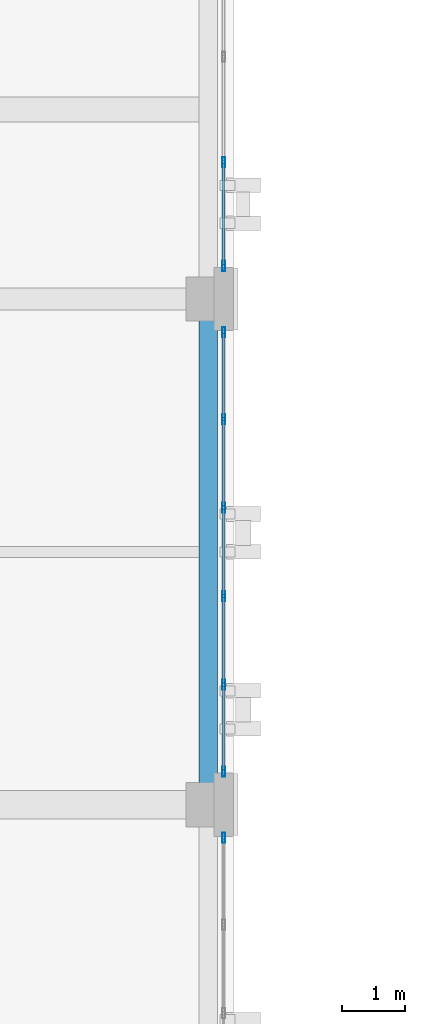
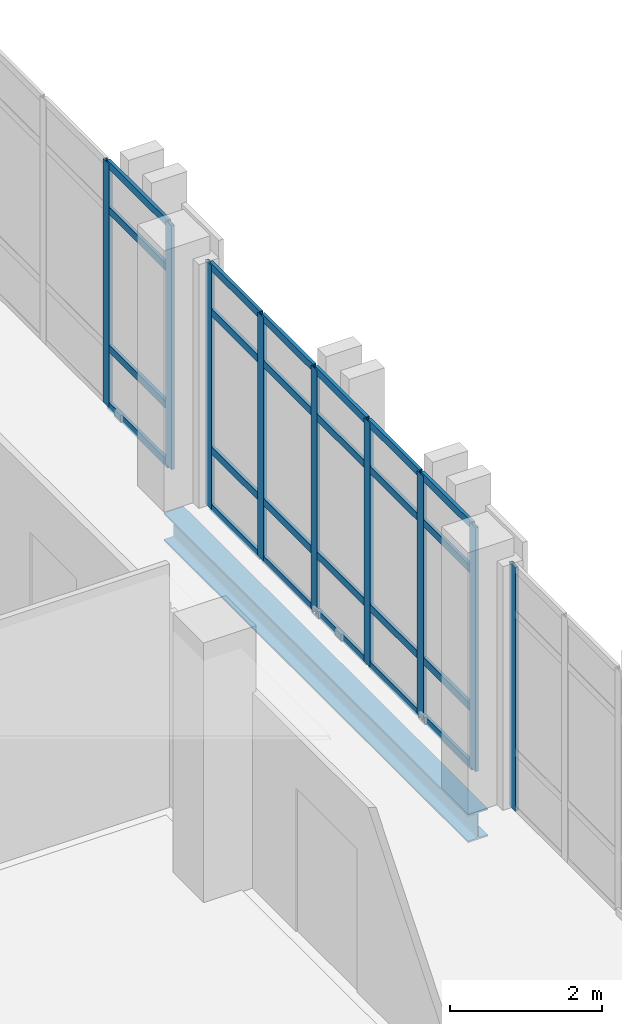
# One storey, part 75 of 193: 33 members, 1 beam, 3 elements without a shape of their own.
"""IFC4 building model written with IfcOpenShell, lengths in metres."""

from ifc_helpers import new_model, si_unit, direction, frame, origin, origin_2d, place, context, subcontext, project, spatial, hollow_rectangle, i_section, extrude, material, layer, layer_set, material_profile, profile_set, type_object, element, aggregate, save


model = new_model("IFC4")

# Units and contexts
model_context = context("Model", 3, precision=1e-05, world=origin(), true_north=direction((0.0, 1.0)))
body_context = subcontext(model_context, "Body", "Model", "MODEL_VIEW")
ifc_project = project(units=[si_unit("LENGTHUNIT", "METRE"), si_unit("AREAUNIT", "SQUARE_METRE"), si_unit("VOLUMEUNIT", "CUBIC_METRE"), si_unit("PLANEANGLEUNIT", "RADIAN"), si_unit("MASSUNIT", "GRAM", prefix="KILO")], contexts=[model_context])

# Site, building, storey
site_placement = place(None, origin())
site = spatial("IfcSite", under=ifc_project, at=site_placement, CompositionType="ELEMENT")
building_placement = place(site_placement, origin())
building = spatial("IfcBuilding", under=site, at=building_placement, Name="Qalavern Law Courts", CompositionType="ELEMENT")
storey_placement = place(building_placement, frame((0.0, 0.0, 10.199951171875)))
storey = spatial("IfcBuildingStorey", under=building, at=storey_placement, Name="L02", CompositionType="ELEMENT", Elevation=10.199951171875)

# Curtain wall, member
ifc_material_1 = material(Name="Anodised aluminium and insulated glazing", Category="aluminium")
ifc_layer = layer(ifc_material_1, 0.172119140625)
ifc_layer_set = layer_set([ifc_layer], Name="Anodised aluminium and insulated glazing")
curtain_wall_type = type_object("IfcCurtainWallType", Name="ENV-CW-COURT", PredefinedType="USERDEFINED", material=ifc_layer_set)
curtain_wall_1_placement = place(storey_placement, origin())
curtain_wall_1 = element("IfcCurtainWall", 1, at=curtain_wall_1_placement, inside=storey, type_object=curtain_wall_type, Name="V3 unitised curtain wall L02 east 3", ObjectType="UNITISED CURTAIN WALL", PredefinedType="USERDEFINED")
ifc_material_2 = material(Name="Anodised aluminium", Category="aluminium")
ifc_material_profile_1 = material_profile(ifc_material_2, hollow_rectangle(XDim=0.048095703125, YDim=0.159912109375, WallThickness=0.00390625, at=origin_2d()), Name="ALU MULLION 48x160")
ifc_profile_set_1 = profile_set([ifc_material_profile_1], Name="Anodised aluminium")
member_type_1 = type_object("IfcMemberType", Name="ENV-CWM-48x160", PredefinedType="MULLION", material=ifc_profile_set_1)
member_1_placement = place(storey_placement, frame((18.64501953125, 64.8759765625, 0.0), z_axis=(0.0, 0.0, 1.0), x_axis=(-1.0, 0.0, 0.0)))
member_1 = element("IfcMember", 2, at=member_1_placement, type_object=member_type_1, Name="CW-03 mullion 6", PredefinedType="MULLION", context=body_context, shape_type="SweptSolid", body=[
    extrude(hollow_rectangle(XDim=0.048095703125, YDim=0.159912109375, WallThickness=0.00390625, at=origin_2d()), origin(), (0.0, 0.0, 1.0), 3.9150390625),
])
aggregate(curtain_wall_1, [member_1])

# Curtain wall, members
curtain_wall_2_placement = place(storey_placement, origin())
curtain_wall_2 = element("IfcCurtainWall", 3, at=curtain_wall_2_placement, inside=storey, type_object=curtain_wall_type, Name="V3 unitised curtain wall L02 east 4", ObjectType="UNITISED CURTAIN WALL", PredefinedType="USERDEFINED")
member_2_placement = place(storey_placement, frame((18.64501953125, 65.924072265625, 0.0), z_axis=(0.0, 0.0, 1.0), x_axis=(-1.0, 0.0, 0.0)))
member_2 = element("IfcMember", 4, at=member_2_placement, type_object=member_type_1, Name="CW-03 mullion 1", PredefinedType="MULLION", context=body_context, shape_type="SweptSolid", body=[
    extrude(hollow_rectangle(XDim=0.048095703125, YDim=0.159912109375, WallThickness=0.00390625, at=origin_2d()), origin(), (0.0, 0.0, 1.0), 3.9150390625),
])
member_3_placement = place(storey_placement, frame((18.64501953125, 67.300048828125, 0.0), z_axis=(0.0, 0.0, 1.0), x_axis=(-1.0, 0.0, 0.0)))
member_3 = element("IfcMember", 5, at=member_3_placement, type_object=member_type_1, Name="CW-03 mullion 2", PredefinedType="MULLION", context=body_context, shape_type="SweptSolid", body=[
    extrude(hollow_rectangle(XDim=0.048095703125, YDim=0.159912109375, WallThickness=0.00390625, at=origin_2d()), origin(), (0.0, 0.0, 1.0), 3.9150390625),
])
member_4_placement = place(storey_placement, frame((18.64501953125, 68.699951171875, 0.0), z_axis=(0.0, 0.0, 1.0), x_axis=(-1.0, 0.0, 0.0)))
member_4 = element("IfcMember", 6, at=member_4_placement, type_object=member_type_1, Name="CW-03 mullion 3", PredefinedType="MULLION", context=body_context, shape_type="SweptSolid", body=[
    extrude(hollow_rectangle(XDim=0.048095703125, YDim=0.159912109375, WallThickness=0.00390625, at=origin_2d()), origin(), (0.0, 0.0, 1.0), 3.9150390625),
])
member_5_placement = place(storey_placement, frame((18.64501953125, 70.10009765625, 0.0), z_axis=(0.0, 0.0, 1.0), x_axis=(-1.0, 0.0, 0.0)))
member_5 = element("IfcMember", 7, at=member_5_placement, type_object=member_type_1, Name="CW-03 mullion 4", PredefinedType="MULLION", context=body_context, shape_type="SweptSolid", body=[
    extrude(hollow_rectangle(XDim=0.048095703125, YDim=0.159912109375, WallThickness=0.00390625, at=origin_2d()), origin(), (0.0, 0.0, 1.0), 3.9150390625),
])
member_6_placement = place(storey_placement, frame((18.64501953125, 71.5, 0.0), z_axis=(0.0, 0.0, 1.0), x_axis=(-1.0, 0.0, 0.0)))
member_6 = element("IfcMember", 8, at=member_6_placement, type_object=member_type_1, Name="CW-03 mullion 5", PredefinedType="MULLION", context=body_context, shape_type="SweptSolid", body=[
    extrude(hollow_rectangle(XDim=0.048095703125, YDim=0.159912109375, WallThickness=0.00390625, at=origin_2d()), origin(), (0.0, 0.0, 1.0), 3.9150390625),
])
member_7_placement = place(storey_placement, frame((18.64501953125, 72.8759765625, 0.0), z_axis=(0.0, 0.0, 1.0), x_axis=(-1.0, 0.0, 0.0)))
member_7 = element("IfcMember", 9, at=member_7_placement, type_object=member_type_1, Name="CW-03 mullion 6", PredefinedType="MULLION", context=body_context, shape_type="SweptSolid", body=[
    extrude(hollow_rectangle(XDim=0.048095703125, YDim=0.159912109375, WallThickness=0.00390625, at=origin_2d()), origin(), (0.0, 0.0, 1.0), 3.9150390625),
])

curtain_wall_3_placement = place(storey_placement, origin())
curtain_wall_3 = element("IfcCurtainWall", 10, at=curtain_wall_3_placement, inside=storey, type_object=curtain_wall_type, Name="V3 unitised curtain wall L02 east 5", ObjectType="UNITISED CURTAIN WALL", PredefinedType="USERDEFINED")
member_8_placement = place(storey_placement, frame((18.64501953125, 73.924072265625, 0.0), z_axis=(0.0, 0.0, 1.0), x_axis=(-1.0, 0.0, 0.0)))
member_8 = element("IfcMember", 11, at=member_8_placement, type_object=member_type_1, Name="CW-03 mullion 1", PredefinedType="MULLION", context=body_context, shape_type="SweptSolid", body=[
    extrude(hollow_rectangle(XDim=0.048095703125, YDim=0.159912109375, WallThickness=0.00390625, at=origin_2d()), origin(), (0.0, 0.0, 1.0), 3.9150390625),
])
member_9_placement = place(storey_placement, frame((18.64501953125, 75.566650390625, 0.0), z_axis=(0.0, 0.0, 1.0), x_axis=(-1.0, 0.0, 0.0)))
member_9 = element("IfcMember", 12, at=member_9_placement, type_object=member_type_1, Name="CW-03 mullion 2", PredefinedType="MULLION", context=body_context, shape_type="SweptSolid", body=[
    extrude(hollow_rectangle(XDim=0.048095703125, YDim=0.159912109375, WallThickness=0.00390625, at=origin_2d()), origin(), (0.0, 0.0, 1.0), 3.9150390625),
])

# Member
ifc_material_profile_2 = material_profile(ifc_material_2, hollow_rectangle(XDim=0.048095703125, YDim=0.1201171875, WallThickness=0.00390625, at=origin_2d()), Name="ALU TRANSOM 48x120")
ifc_profile_set_2 = profile_set([ifc_material_profile_2], Name="Anodised aluminium")
member_type_2 = type_object("IfcMemberType", Name="ENV-CWT-48x120", PredefinedType="USERDEFINED", material=ifc_profile_set_2)
member_10_placement = place(storey_placement, frame((18.64501953125, 65.947998046875, 0.024169921875), z_axis=(0.0, 1.0, 0.0), x_axis=(-1.0, 0.0, 0.0)))
member_10 = element("IfcMember", 13, at=member_10_placement, type_object=member_type_2, Name="CW-03 transom 1.1", ObjectType="TRANSOM", PredefinedType="USERDEFINED", context=body_context, shape_type="SweptSolid", body=[
    extrude(hollow_rectangle(XDim=0.048095703125, YDim=0.1201171875, WallThickness=0.00390625, at=origin_2d()), origin(), (0.0, 0.0, 1.0), 1.327880859375),
])

member_11_placement = place(storey_placement, frame((18.64501953125, 65.947998046875, 0.949951171875), z_axis=(0.0, 1.0, 0.0), x_axis=(-1.0, 0.0, 0.0)))
member_11 = element("IfcMember", 14, at=member_11_placement, type_object=member_type_2, Name="CW-03 transom 1.2", ObjectType="TRANSOM", PredefinedType="USERDEFINED", context=body_context, shape_type="SweptSolid", body=[
    extrude(hollow_rectangle(XDim=0.048095703125, YDim=0.1201171875, WallThickness=0.00390625, at=origin_2d()), origin(), (0.0, 0.0, 1.0), 1.327880859375),
])

member_12_placement = place(storey_placement, frame((18.64501953125, 65.947998046875, 3.1650390625), z_axis=(0.0, 1.0, 0.0), x_axis=(-1.0, 0.0, 0.0)))
member_12 = element("IfcMember", 15, at=member_12_placement, type_object=member_type_2, Name="CW-03 transom 1.3", ObjectType="TRANSOM", PredefinedType="USERDEFINED", context=body_context, shape_type="SweptSolid", body=[
    extrude(hollow_rectangle(XDim=0.048095703125, YDim=0.1201171875, WallThickness=0.00390625, at=origin_2d()), origin(), (0.0, 0.0, 1.0), 1.327880859375),
])

member_13_placement = place(storey_placement, frame((18.64501953125, 65.947998046875, 3.89111328125), z_axis=(0.0, 1.0, 0.0), x_axis=(-1.0, 0.0, 0.0)))
member_13 = element("IfcMember", 16, at=member_13_placement, type_object=member_type_2, Name="CW-03 transom 1.4", ObjectType="TRANSOM", PredefinedType="USERDEFINED", context=body_context, shape_type="SweptSolid", body=[
    extrude(hollow_rectangle(XDim=0.048095703125, YDim=0.1201171875, WallThickness=0.00390625, at=origin_2d()), origin(), (0.0, 0.0, 1.0), 1.327880859375),
])

member_14_placement = place(storey_placement, frame((18.64501953125, 67.323974609375, 0.024169921875), z_axis=(0.0, 1.0, 0.0), x_axis=(-1.0, 0.0, 0.0)))
member_14 = element("IfcMember", 17, at=member_14_placement, type_object=member_type_2, Name="CW-03 transom 2.1", ObjectType="TRANSOM", PredefinedType="USERDEFINED", context=body_context, shape_type="SweptSolid", body=[
    extrude(hollow_rectangle(XDim=0.048095703125, YDim=0.1201171875, WallThickness=0.00390625, at=origin_2d()), origin(), (0.0, 0.0, 1.0), 1.35205078125),
])

member_15_placement = place(storey_placement, frame((18.64501953125, 67.323974609375, 0.949951171875), z_axis=(0.0, 1.0, 0.0), x_axis=(-1.0, 0.0, 0.0)))
member_15 = element("IfcMember", 18, at=member_15_placement, type_object=member_type_2, Name="CW-03 transom 2.2", ObjectType="TRANSOM", PredefinedType="USERDEFINED", context=body_context, shape_type="SweptSolid", body=[
    extrude(hollow_rectangle(XDim=0.048095703125, YDim=0.1201171875, WallThickness=0.00390625, at=origin_2d()), origin(), (0.0, 0.0, 1.0), 1.35205078125),
])

member_16_placement = place(storey_placement, frame((18.64501953125, 67.323974609375, 3.1650390625), z_axis=(0.0, 1.0, 0.0), x_axis=(-1.0, 0.0, 0.0)))
member_16 = element("IfcMember", 19, at=member_16_placement, type_object=member_type_2, Name="CW-03 transom 2.3", ObjectType="TRANSOM", PredefinedType="USERDEFINED", context=body_context, shape_type="SweptSolid", body=[
    extrude(hollow_rectangle(XDim=0.048095703125, YDim=0.1201171875, WallThickness=0.00390625, at=origin_2d()), origin(), (0.0, 0.0, 1.0), 1.35205078125),
])

member_17_placement = place(storey_placement, frame((18.64501953125, 67.323974609375, 3.89111328125), z_axis=(0.0, 1.0, 0.0), x_axis=(-1.0, 0.0, 0.0)))
member_17 = element("IfcMember", 20, at=member_17_placement, type_object=member_type_2, Name="CW-03 transom 2.4", ObjectType="TRANSOM", PredefinedType="USERDEFINED", context=body_context, shape_type="SweptSolid", body=[
    extrude(hollow_rectangle(XDim=0.048095703125, YDim=0.1201171875, WallThickness=0.00390625, at=origin_2d()), origin(), (0.0, 0.0, 1.0), 1.35205078125),
])

member_18_placement = place(storey_placement, frame((18.64501953125, 68.72412109375, 0.024169921875), z_axis=(0.0, 1.0, 0.0), x_axis=(-1.0, 0.0, 0.0)))
member_18 = element("IfcMember", 21, at=member_18_placement, type_object=member_type_2, Name="CW-03 transom 3.1", ObjectType="TRANSOM", PredefinedType="USERDEFINED", context=body_context, shape_type="SweptSolid", body=[
    extrude(hollow_rectangle(XDim=0.048095703125, YDim=0.1201171875, WallThickness=0.00390625, at=origin_2d()), origin(), (0.0, 0.0, 1.0), 1.351806640625),
])

member_19_placement = place(storey_placement, frame((18.64501953125, 68.72412109375, 0.949951171875), z_axis=(0.0, 1.0, 0.0), x_axis=(-1.0, 0.0, 0.0)))
member_19 = element("IfcMember", 22, at=member_19_placement, type_object=member_type_2, Name="CW-03 transom 3.2", ObjectType="TRANSOM", PredefinedType="USERDEFINED", context=body_context, shape_type="SweptSolid", body=[
    extrude(hollow_rectangle(XDim=0.048095703125, YDim=0.1201171875, WallThickness=0.00390625, at=origin_2d()), origin(), (0.0, 0.0, 1.0), 1.351806640625),
])

member_20_placement = place(storey_placement, frame((18.64501953125, 68.72412109375, 3.1650390625), z_axis=(0.0, 1.0, 0.0), x_axis=(-1.0, 0.0, 0.0)))
member_20 = element("IfcMember", 23, at=member_20_placement, type_object=member_type_2, Name="CW-03 transom 3.3", ObjectType="TRANSOM", PredefinedType="USERDEFINED", context=body_context, shape_type="SweptSolid", body=[
    extrude(hollow_rectangle(XDim=0.048095703125, YDim=0.1201171875, WallThickness=0.00390625, at=origin_2d()), origin(), (0.0, 0.0, 1.0), 1.351806640625),
])

member_21_placement = place(storey_placement, frame((18.64501953125, 68.72412109375, 3.89111328125), z_axis=(0.0, 1.0, 0.0), x_axis=(-1.0, 0.0, 0.0)))
member_21 = element("IfcMember", 24, at=member_21_placement, type_object=member_type_2, Name="CW-03 transom 3.4", ObjectType="TRANSOM", PredefinedType="USERDEFINED", context=body_context, shape_type="SweptSolid", body=[
    extrude(hollow_rectangle(XDim=0.048095703125, YDim=0.1201171875, WallThickness=0.00390625, at=origin_2d()), origin(), (0.0, 0.0, 1.0), 1.351806640625),
])

member_22_placement = place(storey_placement, frame((18.64501953125, 70.1240234375, 0.024169921875), z_axis=(0.0, 1.0, 0.0), x_axis=(-1.0, 0.0, 0.0)))
member_22 = element("IfcMember", 25, at=member_22_placement, type_object=member_type_2, Name="CW-03 transom 4.1", ObjectType="TRANSOM", PredefinedType="USERDEFINED", context=body_context, shape_type="SweptSolid", body=[
    extrude(hollow_rectangle(XDim=0.048095703125, YDim=0.1201171875, WallThickness=0.00390625, at=origin_2d()), origin(), (0.0, 0.0, 1.0), 1.35205078125),
])

member_23_placement = place(storey_placement, frame((18.64501953125, 70.1240234375, 0.949951171875), z_axis=(0.0, 1.0, 0.0), x_axis=(-1.0, 0.0, 0.0)))
member_23 = element("IfcMember", 26, at=member_23_placement, type_object=member_type_2, Name="CW-03 transom 4.2", ObjectType="TRANSOM", PredefinedType="USERDEFINED", context=body_context, shape_type="SweptSolid", body=[
    extrude(hollow_rectangle(XDim=0.048095703125, YDim=0.1201171875, WallThickness=0.00390625, at=origin_2d()), origin(), (0.0, 0.0, 1.0), 1.35205078125),
])

member_24_placement = place(storey_placement, frame((18.64501953125, 70.1240234375, 3.1650390625), z_axis=(0.0, 1.0, 0.0), x_axis=(-1.0, 0.0, 0.0)))
member_24 = element("IfcMember", 27, at=member_24_placement, type_object=member_type_2, Name="CW-03 transom 4.3", ObjectType="TRANSOM", PredefinedType="USERDEFINED", context=body_context, shape_type="SweptSolid", body=[
    extrude(hollow_rectangle(XDim=0.048095703125, YDim=0.1201171875, WallThickness=0.00390625, at=origin_2d()), origin(), (0.0, 0.0, 1.0), 1.35205078125),
])

member_25_placement = place(storey_placement, frame((18.64501953125, 70.1240234375, 3.89111328125), z_axis=(0.0, 1.0, 0.0), x_axis=(-1.0, 0.0, 0.0)))
member_25 = element("IfcMember", 28, at=member_25_placement, type_object=member_type_2, Name="CW-03 transom 4.4", ObjectType="TRANSOM", PredefinedType="USERDEFINED", context=body_context, shape_type="SweptSolid", body=[
    extrude(hollow_rectangle(XDim=0.048095703125, YDim=0.1201171875, WallThickness=0.00390625, at=origin_2d()), origin(), (0.0, 0.0, 1.0), 1.35205078125),
])

member_26_placement = place(storey_placement, frame((18.64501953125, 71.52392578125, 0.024169921875), z_axis=(0.0, 1.0, 0.0), x_axis=(-1.0, 0.0, 0.0)))
member_26 = element("IfcMember", 29, at=member_26_placement, type_object=member_type_2, Name="CW-03 transom 5.1", ObjectType="TRANSOM", PredefinedType="USERDEFINED", context=body_context, shape_type="SweptSolid", body=[
    extrude(hollow_rectangle(XDim=0.048095703125, YDim=0.1201171875, WallThickness=0.00390625, at=origin_2d()), origin(), (0.0, 0.0, 1.0), 1.328125),
])

member_27_placement = place(storey_placement, frame((18.64501953125, 71.52392578125, 0.949951171875), z_axis=(0.0, 1.0, 0.0), x_axis=(-1.0, 0.0, 0.0)))
member_27 = element("IfcMember", 30, at=member_27_placement, type_object=member_type_2, Name="CW-03 transom 5.2", ObjectType="TRANSOM", PredefinedType="USERDEFINED", context=body_context, shape_type="SweptSolid", body=[
    extrude(hollow_rectangle(XDim=0.048095703125, YDim=0.1201171875, WallThickness=0.00390625, at=origin_2d()), origin(), (0.0, 0.0, 1.0), 1.328125),
])

member_28_placement = place(storey_placement, frame((18.64501953125, 71.52392578125, 3.1650390625), z_axis=(0.0, 1.0, 0.0), x_axis=(-1.0, 0.0, 0.0)))
member_28 = element("IfcMember", 31, at=member_28_placement, type_object=member_type_2, Name="CW-03 transom 5.3", ObjectType="TRANSOM", PredefinedType="USERDEFINED", context=body_context, shape_type="SweptSolid", body=[
    extrude(hollow_rectangle(XDim=0.048095703125, YDim=0.1201171875, WallThickness=0.00390625, at=origin_2d()), origin(), (0.0, 0.0, 1.0), 1.328125),
])

member_29_placement = place(storey_placement, frame((18.64501953125, 71.52392578125, 3.89111328125), z_axis=(0.0, 1.0, 0.0), x_axis=(-1.0, 0.0, 0.0)))
member_29 = element("IfcMember", 32, at=member_29_placement, type_object=member_type_2, Name="CW-03 transom 5.4", ObjectType="TRANSOM", PredefinedType="USERDEFINED", context=body_context, shape_type="SweptSolid", body=[
    extrude(hollow_rectangle(XDim=0.048095703125, YDim=0.1201171875, WallThickness=0.00390625, at=origin_2d()), origin(), (0.0, 0.0, 1.0), 1.328125),
])

aggregate(curtain_wall_2, [member_2, member_3, member_4, member_5, member_6, member_7, member_10, member_11, member_12, member_13, member_14, member_15, member_16, member_17, member_18, member_19, member_20, member_21, member_22, member_23, member_24, member_25, member_26, member_27, member_28, member_29])

member_30_placement = place(storey_placement, frame((18.64501953125, 73.947998046875, 0.024169921875), z_axis=(0.0, 1.0, 0.0), x_axis=(-1.0, 0.0, 0.0)))
member_30 = element("IfcMember", 33, at=member_30_placement, type_object=member_type_2, Name="CW-03 transom 1.1", ObjectType="TRANSOM", PredefinedType="USERDEFINED", context=body_context, shape_type="SweptSolid", body=[
    extrude(hollow_rectangle(XDim=0.048095703125, YDim=0.1201171875, WallThickness=0.00390625, at=origin_2d()), origin(), (0.0, 0.0, 1.0), 1.5947265625),
])

member_31_placement = place(storey_placement, frame((18.64501953125, 73.947998046875, 0.949951171875), z_axis=(0.0, 1.0, 0.0), x_axis=(-1.0, 0.0, 0.0)))
member_31 = element("IfcMember", 34, at=member_31_placement, type_object=member_type_2, Name="CW-03 transom 1.2", ObjectType="TRANSOM", PredefinedType="USERDEFINED", context=body_context, shape_type="SweptSolid", body=[
    extrude(hollow_rectangle(XDim=0.048095703125, YDim=0.1201171875, WallThickness=0.00390625, at=origin_2d()), origin(), (0.0, 0.0, 1.0), 1.5947265625),
])

member_32_placement = place(storey_placement, frame((18.64501953125, 73.947998046875, 3.1650390625), z_axis=(0.0, 1.0, 0.0), x_axis=(-1.0, 0.0, 0.0)))
member_32 = element("IfcMember", 35, at=member_32_placement, type_object=member_type_2, Name="CW-03 transom 1.3", ObjectType="TRANSOM", PredefinedType="USERDEFINED", context=body_context, shape_type="SweptSolid", body=[
    extrude(hollow_rectangle(XDim=0.048095703125, YDim=0.1201171875, WallThickness=0.00390625, at=origin_2d()), origin(), (0.0, 0.0, 1.0), 1.5947265625),
])

member_33_placement = place(storey_placement, frame((18.64501953125, 73.947998046875, 3.89111328125), z_axis=(0.0, 1.0, 0.0), x_axis=(-1.0, 0.0, 0.0)))
member_33 = element("IfcMember", 36, at=member_33_placement, type_object=member_type_2, Name="CW-03 transom 1.4", ObjectType="TRANSOM", PredefinedType="USERDEFINED", context=body_context, shape_type="SweptSolid", body=[
    extrude(hollow_rectangle(XDim=0.048095703125, YDim=0.1201171875, WallThickness=0.00390625, at=origin_2d()), origin(), (0.0, 0.0, 1.0), 1.5947265625),
])

aggregate(curtain_wall_3, [member_8, member_9, member_30, member_31, member_32, member_33])

# Beam
ifc_material_3 = material(Name="Steel S355", Category="steel")
ifc_material_profile_3 = material_profile(ifc_material_3, i_section(OverallWidth=0.300048828125, OverallDepth=0.449951171875, WebThickness=0.013916015625, FlangeThickness=0.02587890625, FilletRadius=0.027099609375, at=origin_2d()), Name="HEB 450")
ifc_profile_set_3 = profile_set([ifc_material_profile_3], Name="Steel S355")
beam_type = type_object("IfcBeamType", Name="STR-SP-HEB450", PredefinedType="SPANDREL", material=ifc_profile_set_3)
beam_placement = place(storey_placement, frame((18.39990234375, 65.39990234375, -0.514892578125), z_axis=(0.0, 1.0, 0.0), x_axis=(-1.0, 0.0, 0.0)))
element("IfcBeam", 37, at=beam_placement, inside=storey, type_object=beam_type, Name="V3 Y-beam 3-4 L02", PredefinedType="SPANDREL", context=body_context, shape_type="SweptSolid", body=[
    extrude(i_section(OverallWidth=0.300048828125, OverallDepth=0.449951171875, WebThickness=0.013916015625, FlangeThickness=0.02587890625, FilletRadius=0.027099609375, at=origin_2d()), origin(), (0.0, 0.0, 1.0), 8.0),
])

save(model, "model.ifc")
